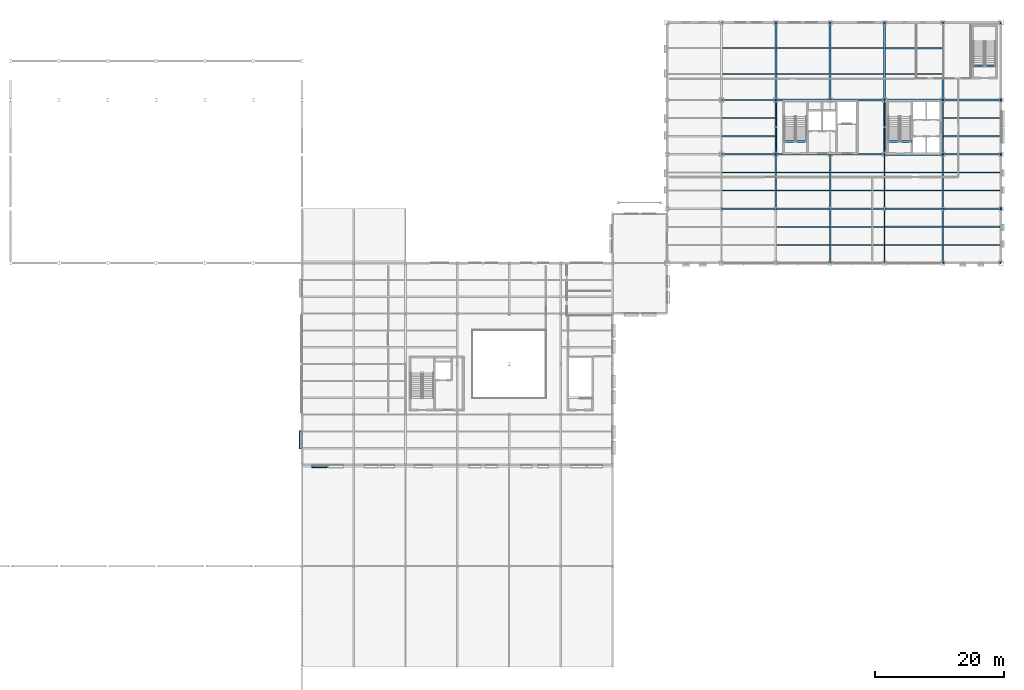
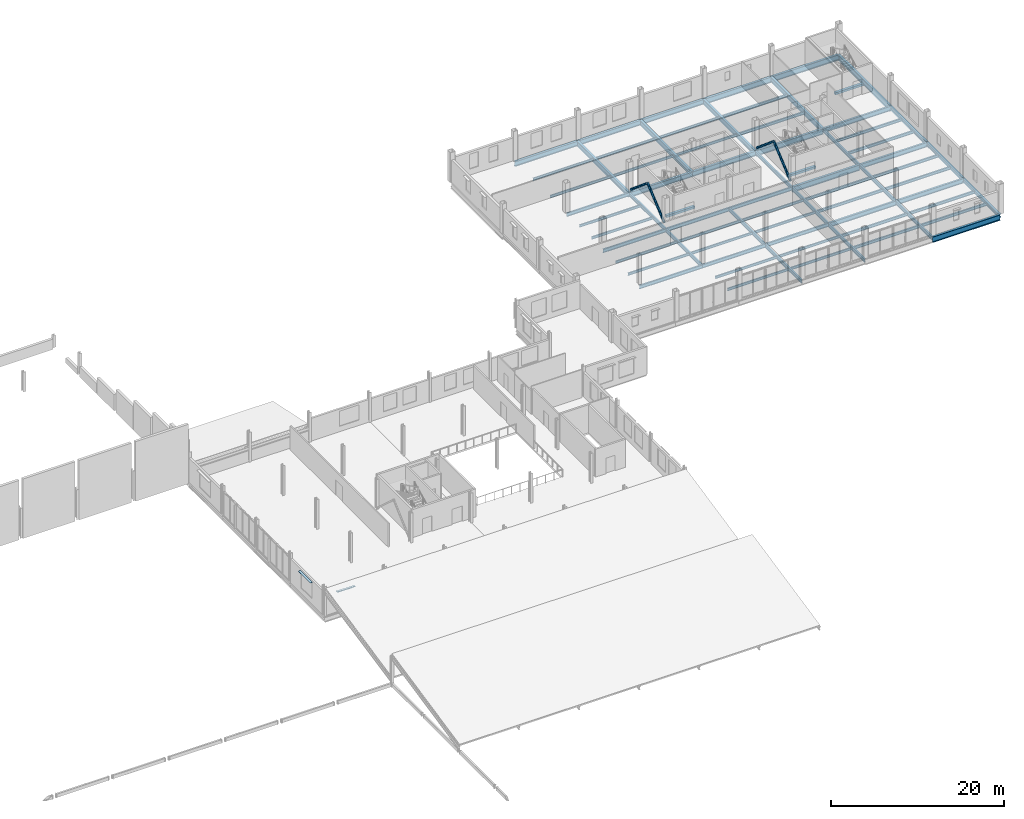
# One storey, part 19 of 45: 72 beams, 4 members, 2 plates.
"""IFC4 building model written with IfcOpenShell, lengths in metres."""

from ifc_helpers import new_model, si_unit, direction, frame, origin, origin_2d, place, context, subcontext, project, spatial, rectangle, hollow_circle, i_section, extrude, material, layer, layer_set, material_profile, profile_set, type_object, element, save


model = new_model("IFC4")

# Units and contexts
model_context = context("Model", 3, precision=1e-05, world=origin(), true_north=direction((0.0, 1.0)))
body_context = subcontext(model_context, "Body", "Model", "MODEL_VIEW")
ifc_project = project(units=[si_unit("LENGTHUNIT", "METRE"), si_unit("AREAUNIT", "SQUARE_METRE"), si_unit("VOLUMEUNIT", "CUBIC_METRE"), si_unit("PLANEANGLEUNIT", "RADIAN"), si_unit("MASSUNIT", "GRAM", prefix="KILO")], contexts=[model_context])

# Site, building, storey
site_placement = place(None, origin())
site = spatial("IfcSite", under=ifc_project, at=site_placement, CompositionType="ELEMENT")
building_placement = place(site_placement, origin())
building = spatial("IfcBuilding", under=site, at=building_placement, Name="Yukiwa Park Conservatory and Herbarium", CompositionType="ELEMENT")
storey_placement = place(building_placement, frame((0.0, 0.0, 9.0)))
storey = spatial("IfcBuildingStorey", under=building, at=storey_placement, Name="L02", CompositionType="ELEMENT", Elevation=9.0)

# Beams
ifc_material_1 = material(Name="Steel Q355D", Category="steel")
ifc_material_profile_1 = material_profile(ifc_material_1, i_section(OverallWidth=0.198974609375, OverallDepth=0.49609375, WebThickness=0.009033203125, FlangeThickness=0.013916015625, FilletRadius=0.02001953125, at=origin_2d()), Name="HN 496x199x9x14")
ifc_profile_set_1 = profile_set([ifc_material_profile_1], Name="Steel Q355D")
beam_type_1 = type_object("IfcBeamType", Name="BM-GRD-HN496", PredefinedType="BEAM", material=ifc_profile_set_1)
beam_1_placement = place(storey_placement, frame((124.805908203125, 86.39990234375, -0.492919921875), z_axis=(1.0, 0.0, 0.0), x_axis=(0.0, 1.0, 0.0)))
element("IfcBeam", 1, at=beam_1_placement, inside=storey, type_object=beam_type_1, Name="L02 grid beam X-35", PredefinedType="BEAM", context=body_context, shape_type="SweptSolid", body=[
    extrude(i_section(OverallWidth=0.198974609375, OverallDepth=0.49609375, WebThickness=0.009033203125, FlangeThickness=0.013916015625, FilletRadius=0.02001953125, at=origin_2d()), origin(), (0.0, 0.0, 1.0), 8.38818359375),
])
for number, where, z_axis, x_axis, name in (
    (2, (133.2060546875, 86.39990234375, -0.492919921875), (1.0, 0.0, 0.0), (0.0, 1.0, 0.0), "L02 grid beam X-36"),
    (3, (141.60595703125, 86.39990234375, -0.492919921875), (1.0, 0.0, 0.0), (0.0, 1.0, 0.0), "L02 grid beam X-37"),
):
    element("IfcBeam", number, at=place(storey_placement, frame(where, z_axis=z_axis, x_axis=x_axis)), inside=storey, type_object=beam_type_1, Name=name, PredefinedType="BEAM", context=body_context, shape_type="SweptSolid", body=[
        extrude(i_section(OverallWidth=0.198974609375, OverallDepth=0.49609375, WebThickness=0.009033203125, FlangeThickness=0.013916015625, FilletRadius=0.02001953125, at=origin_2d()), origin(), (0.0, 0.0, 1.0), 8.387939453125),
    ])
beam_2_placement = place(storey_placement, frame((124.805908203125, 94.800048828125, -0.492919921875), z_axis=(1.0, 0.0, 0.0), x_axis=(0.0, 1.0, 0.0)))
element("IfcBeam", 4, at=beam_2_placement, inside=storey, type_object=beam_type_1, Name="L02 grid beam X-41", PredefinedType="BEAM", context=body_context, shape_type="SweptSolid", body=[
    extrude(i_section(OverallWidth=0.198974609375, OverallDepth=0.49609375, WebThickness=0.009033203125, FlangeThickness=0.013916015625, FilletRadius=0.02001953125, at=origin_2d()), origin(), (0.0, 0.0, 1.0), 8.38818359375),
])
for number, where, z_axis, x_axis, name in (
    (5, (133.2060546875, 94.800048828125, -0.492919921875), (1.0, 0.0, 0.0), (0.0, 1.0, 0.0), "L02 grid beam X-42"),
    (6, (141.60595703125, 94.800048828125, -0.492919921875), (1.0, 0.0, 0.0), (0.0, 1.0, 0.0), "L02 grid beam X-43"),
):
    element("IfcBeam", number, at=place(storey_placement, frame(where, z_axis=z_axis, x_axis=x_axis)), inside=storey, type_object=beam_type_1, Name=name, PredefinedType="BEAM", context=body_context, shape_type="SweptSolid", body=[
        extrude(i_section(OverallWidth=0.198974609375, OverallDepth=0.49609375, WebThickness=0.009033203125, FlangeThickness=0.013916015625, FilletRadius=0.02001953125, at=origin_2d()), origin(), (0.0, 0.0, 1.0), 8.387939453125),
    ])
beam_3_placement = place(storey_placement, frame((124.805908203125, 103.199951171875, -0.492919921875), z_axis=(1.0, 0.0, 0.0), x_axis=(0.0, 1.0, 0.0)))
element("IfcBeam", 7, at=beam_3_placement, inside=storey, type_object=beam_type_1, Name="L02 grid beam X-47", PredefinedType="BEAM", context=body_context, shape_type="SweptSolid", body=[
    extrude(i_section(OverallWidth=0.198974609375, OverallDepth=0.49609375, WebThickness=0.009033203125, FlangeThickness=0.013916015625, FilletRadius=0.02001953125, at=origin_2d()), origin(), (0.0, 0.0, 1.0), 8.38818359375),
])
ifc_material_2 = material(Name="Steel Q355D", Category="steel")
ifc_material_profile_2 = material_profile(ifc_material_2, i_section(OverallWidth=0.199951171875, OverallDepth=0.5, WebThickness=0.010009765625, FlangeThickness=0.01611328125, FilletRadius=0.02001953125, at=origin_2d()), Name="HN 500x200x10x16")
ifc_profile_set_2 = profile_set([ifc_material_profile_2], Name="Steel Q355D")
beam_type_2 = type_object("IfcBeamType", Name="BM-GRD-HN500", PredefinedType="BEAM", material=ifc_profile_set_2)
beam_4_placement = place(storey_placement, frame((133.199951171875, 86.406005859375, -0.4951171875), z_axis=(0.0, 1.0, 0.0), x_axis=(-1.0, 0.0, 0.0)))
element("IfcBeam", 8, at=beam_4_placement, inside=storey, type_object=beam_type_2, Name="L02 grid girder Y-94", PredefinedType="BEAM", context=body_context, shape_type="SweptSolid", body=[
    extrude(i_section(OverallWidth=0.199951171875, OverallDepth=0.5, WebThickness=0.010009765625, FlangeThickness=0.01611328125, FilletRadius=0.02001953125, at=origin_2d()), origin(), (0.0, 0.0, 1.0), 8.387939453125),
])
beam_5_placement = place(storey_placement, frame((133.199951171875, 94.805908203125, -0.4951171875), z_axis=(0.0, 1.0, 0.0), x_axis=(-1.0, 0.0, 0.0)))
element("IfcBeam", 9, at=beam_5_placement, inside=storey, type_object=beam_type_2, Name="L02 grid girder Y-95", PredefinedType="BEAM", context=body_context, shape_type="SweptSolid", body=[
    extrude(i_section(OverallWidth=0.199951171875, OverallDepth=0.5, WebThickness=0.010009765625, FlangeThickness=0.01611328125, FilletRadius=0.02001953125, at=origin_2d()), origin(), (0.0, 0.0, 1.0), 8.38818359375),
])
for number, where, z_axis, x_axis, name in (
    (10, (141.60009765625, 78.006103515625, -0.4951171875), (0.0, 1.0, 0.0), (-1.0, 0.0, 0.0), "L02 grid girder Y-97"),
    (11, (141.60009765625, 86.406005859375, -0.4951171875), (0.0, 1.0, 0.0), (-1.0, 0.0, 0.0), "L02 grid girder Y-98"),
    (12, (150.0, 78.006103515625, -0.4951171875), (0.0, 1.0, 0.0), (-1.0, 0.0, 0.0), "L02 grid girder Y-100"),
    (13, (150.0, 86.406005859375, -0.4951171875), (0.0, 1.0, 0.0), (-1.0, 0.0, 0.0), "L02 grid girder Y-101"),
):
    element("IfcBeam", number, at=place(storey_placement, frame(where, z_axis=z_axis, x_axis=x_axis)), inside=storey, type_object=beam_type_2, Name=name, PredefinedType="BEAM", context=body_context, shape_type="SweptSolid", body=[
        extrude(i_section(OverallWidth=0.199951171875, OverallDepth=0.5, WebThickness=0.010009765625, FlangeThickness=0.01611328125, FilletRadius=0.02001953125, at=origin_2d()), origin(), (0.0, 0.0, 1.0), 8.387939453125),
    ])
beam_6_placement = place(storey_placement, frame((150.0, 94.805908203125, -0.4951171875), z_axis=(0.0, 1.0, 0.0), x_axis=(-1.0, 0.0, 0.0)))
element("IfcBeam", 14, at=beam_6_placement, inside=storey, type_object=beam_type_2, Name="L02 grid girder Y-102", PredefinedType="BEAM", context=body_context, shape_type="SweptSolid", body=[
    extrude(i_section(OverallWidth=0.199951171875, OverallDepth=0.5, WebThickness=0.010009765625, FlangeThickness=0.01611328125, FilletRadius=0.02001953125, at=origin_2d()), origin(), (0.0, 0.0, 1.0), 8.38818359375),
])
for number, where, z_axis, x_axis, name in (
    (15, (159.0, 78.006103515625, -0.4951171875), (0.0, 1.0, 0.0), (-1.0, 0.0, 0.0), "L02 grid girder Y-104"),
    (16, (159.0, 86.406005859375, -0.4951171875), (0.0, 1.0, 0.0), (-1.0, 0.0, 0.0), "L02 grid girder Y-105"),
):
    element("IfcBeam", number, at=place(storey_placement, frame(where, z_axis=z_axis, x_axis=x_axis)), inside=storey, type_object=beam_type_2, Name=name, PredefinedType="BEAM", context=body_context, shape_type="SweptSolid", body=[
        extrude(i_section(OverallWidth=0.199951171875, OverallDepth=0.5, WebThickness=0.010009765625, FlangeThickness=0.01611328125, FilletRadius=0.02001953125, at=origin_2d()), origin(), (0.0, 0.0, 1.0), 8.387939453125),
    ])
beam_7_placement = place(storey_placement, frame((159.0, 94.805908203125, -0.4951171875), z_axis=(0.0, 1.0, 0.0), x_axis=(-1.0, 0.0, 0.0)))
element("IfcBeam", 17, at=beam_7_placement, inside=storey, type_object=beam_type_2, Name="L02 grid girder Y-106", PredefinedType="BEAM", context=body_context, shape_type="SweptSolid", body=[
    extrude(i_section(OverallWidth=0.199951171875, OverallDepth=0.5, WebThickness=0.010009765625, FlangeThickness=0.01611328125, FilletRadius=0.02001953125, at=origin_2d()), origin(), (0.0, 0.0, 1.0), 8.38818359375),
])
ifc_material_3 = material(Name="Steel Q355D", Category="steel")
ifc_material_profile_3 = material_profile(ifc_material_3, i_section(OverallWidth=0.25, OverallDepth=0.64990234375, WebThickness=0.011962890625, FlangeThickness=0.02001953125, FilletRadius=0.02392578125, at=origin_2d()), Name="HN 650x250x12x20")
ifc_profile_set_3 = profile_set([ifc_material_profile_3], Name="Steel Q355D")
beam_type_3 = type_object("IfcBeamType", Name="BM-GRD-HN650", PredefinedType="BEAM", material=ifc_profile_set_3)
for number, where, z_axis, x_axis, name in (
    (18, (150.006103515625, 86.39990234375, -0.570068359375), (1.0, 0.0, 0.0), (0.0, 1.0, 0.0), "L02 grid beam X-38"),
    (19, (159.006103515625, 86.39990234375, -0.570068359375), (1.0, 0.0, 0.0), (0.0, 1.0, 0.0), "L02 grid beam X-39"),
    (20, (159.006103515625, 94.800048828125, -0.570068359375), (1.0, 0.0, 0.0), (0.0, 1.0, 0.0), "L02 grid beam X-45"),
    (21, (159.006103515625, 103.199951171875, -0.570068359375), (1.0, 0.0, 0.0), (0.0, 1.0, 0.0), "L02 grid beam X-51"),
):
    element("IfcBeam", number, at=place(storey_placement, frame(where, z_axis=z_axis, x_axis=x_axis)), inside=storey, type_object=beam_type_3, Name=name, PredefinedType="BEAM", context=body_context, shape_type="SweptSolid", body=[
        extrude(i_section(OverallWidth=0.25, OverallDepth=0.64990234375, WebThickness=0.011962890625, FlangeThickness=0.02001953125, FilletRadius=0.02392578125, at=origin_2d()), origin(), (0.0, 0.0, 1.0), 8.98779296875),
    ])
ifc_material_4 = material(Name="Steel Q355D", Category="steel")
ifc_material_profile_4 = material_profile(ifc_material_4, i_section(OverallWidth=0.300048828125, OverallDepth=0.699951171875, WebThickness=0.012939453125, FlangeThickness=0.02392578125, FilletRadius=0.028076171875, at=origin_2d()), Name="HN 700x300x13x24")
ifc_profile_set_4 = profile_set([ifc_material_profile_4], Name="Steel Q355D")
beam_type_4 = type_object("IfcBeamType", Name="BM-GRD-HN700", PredefinedType="BEAM", material=ifc_profile_set_4)
for number, where, z_axis, x_axis, name in (
    (22, (133.199951171875, 103.2060546875, -0.594970703125), (0.0, 1.0, 0.0), (-1.0, 0.0, 0.0), "L02 grid girder Y-96"),
    (23, (141.60009765625, 103.2060546875, -0.594970703125), (0.0, 1.0, 0.0), (-1.0, 0.0, 0.0), "L02 grid girder Y-99"),
    (24, (150.0, 103.2060546875, -0.594970703125), (0.0, 1.0, 0.0), (-1.0, 0.0, 0.0), "L02 grid girder Y-103"),
    (25, (159.0, 103.2060546875, -0.594970703125), (0.0, 1.0, 0.0), (-1.0, 0.0, 0.0), "L02 grid girder Y-107"),
):
    element("IfcBeam", number, at=place(storey_placement, frame(where, z_axis=z_axis, x_axis=x_axis)), inside=storey, type_object=beam_type_4, Name=name, PredefinedType="BEAM", context=body_context, shape_type="SweptSolid", body=[
        extrude(i_section(OverallWidth=0.300048828125, OverallDepth=0.699951171875, WebThickness=0.012939453125, FlangeThickness=0.02392578125, FilletRadius=0.028076171875, at=origin_2d()), origin(), (0.0, 0.0, 1.0), 11.988037109375),
    ])
ifc_material_5 = material(Name="Steel Q355D", Category="steel")
ifc_material_profile_5 = material_profile(ifc_material_5, i_section(OverallWidth=0.174072265625, OverallDepth=0.345947265625, WebThickness=0.006103515625, FlangeThickness=0.009033203125, FilletRadius=0.013916015625, at=origin_2d()), Name="HN 346x174x6x9")
ifc_profile_set_5 = profile_set([ifc_material_profile_5], Name="Steel Q355D")
beam_type_5 = type_object("IfcBeamType", Name="BM-JST-HN346", PredefinedType="JOIST", material=ifc_profile_set_5)
for number, where, z_axis, x_axis, name in (
    (26, (124.89599609375, 89.199951171875, -0.41796875), (1.0, 0.0, 0.0), (0.0, 1.0, 0.0), "L02 composite floor joist 47"),
    (27, (124.89599609375, 92.0, -0.41796875), (1.0, 0.0, 0.0), (0.0, 1.0, 0.0), "L02 composite floor joist 48"),
    (28, (124.89599609375, 97.60009765625, -0.41796875), (1.0, 0.0, 0.0), (0.0, 1.0, 0.0), "L02 composite floor joist 49"),
    (29, (124.89599609375, 100.39990234375, -0.41796875), (1.0, 0.0, 0.0), (0.0, 1.0, 0.0), "L02 composite floor joist 50"),
):
    element("IfcBeam", number, at=place(storey_placement, frame(where, z_axis=z_axis, x_axis=x_axis)), inside=storey, type_object=beam_type_5, Name=name, PredefinedType="JOIST", context=body_context, shape_type="SweptSolid", body=[
        extrude(i_section(OverallWidth=0.174072265625, OverallDepth=0.345947265625, WebThickness=0.006103515625, FlangeThickness=0.009033203125, FilletRadius=0.013916015625, at=origin_2d()), origin(), (0.0, 0.0, 1.0), 8.2080078125),
    ])
for number, where, z_axis, x_axis, name in (
    (30, (124.946044921875, 107.199951171875, -0.41796875), (1.0, 0.0, 0.0), (0.0, 1.0, 0.0), "L02 composite floor joist 51"),
    (31, (124.946044921875, 111.199951171875, -0.41796875), (1.0, 0.0, 0.0), (0.0, 1.0, 0.0), "L02 composite floor joist 52"),
):
    element("IfcBeam", number, at=place(storey_placement, frame(where, z_axis=z_axis, x_axis=x_axis)), inside=storey, type_object=beam_type_5, Name=name, PredefinedType="JOIST", context=body_context, shape_type="SweptSolid", body=[
        extrude(i_section(OverallWidth=0.174072265625, OverallDepth=0.345947265625, WebThickness=0.006103515625, FlangeThickness=0.009033203125, FilletRadius=0.013916015625, at=origin_2d()), origin(), (0.0, 0.0, 1.0), 8.10791015625),
    ])
for number, where, z_axis, x_axis, name in (
    (32, (133.2958984375, 80.800048828125, -0.41796875), (1.0, 0.0, 0.0), (0.0, 1.0, 0.0), "L02 composite floor joist 53"),
    (33, (133.2958984375, 83.60009765625, -0.41796875), (1.0, 0.0, 0.0), (0.0, 1.0, 0.0), "L02 composite floor joist 54"),
    (34, (133.2958984375, 89.199951171875, -0.41796875), (1.0, 0.0, 0.0), (0.0, 1.0, 0.0), "L02 composite floor joist 55"),
    (35, (133.2958984375, 92.0, -0.41796875), (1.0, 0.0, 0.0), (0.0, 1.0, 0.0), "L02 composite floor joist 56"),
):
    element("IfcBeam", number, at=place(storey_placement, frame(where, z_axis=z_axis, x_axis=x_axis)), inside=storey, type_object=beam_type_5, Name=name, PredefinedType="JOIST", context=body_context, shape_type="SweptSolid", body=[
        extrude(i_section(OverallWidth=0.174072265625, OverallDepth=0.345947265625, WebThickness=0.006103515625, FlangeThickness=0.009033203125, FilletRadius=0.013916015625, at=origin_2d()), origin(), (0.0, 0.0, 1.0), 8.2080078125),
    ])
for number, where, z_axis, x_axis, name in (
    (36, (133.345947265625, 107.199951171875, -0.41796875), (1.0, 0.0, 0.0), (0.0, 1.0, 0.0), "L02 composite floor joist 57"),
    (37, (133.345947265625, 111.199951171875, -0.41796875), (1.0, 0.0, 0.0), (0.0, 1.0, 0.0), "L02 composite floor joist 58"),
):
    element("IfcBeam", number, at=place(storey_placement, frame(where, z_axis=z_axis, x_axis=x_axis)), inside=storey, type_object=beam_type_5, Name=name, PredefinedType="JOIST", context=body_context, shape_type="SweptSolid", body=[
        extrude(i_section(OverallWidth=0.174072265625, OverallDepth=0.345947265625, WebThickness=0.006103515625, FlangeThickness=0.009033203125, FilletRadius=0.013916015625, at=origin_2d()), origin(), (0.0, 0.0, 1.0), 8.108154296875),
    ])
for number, where, z_axis, x_axis, name in (
    (38, (141.696044921875, 80.800048828125, -0.41796875), (1.0, 0.0, 0.0), (0.0, 1.0, 0.0), "L02 composite floor joist 59"),
    (39, (141.696044921875, 83.60009765625, -0.41796875), (1.0, 0.0, 0.0), (0.0, 1.0, 0.0), "L02 composite floor joist 60"),
    (40, (141.696044921875, 89.199951171875, -0.41796875), (1.0, 0.0, 0.0), (0.0, 1.0, 0.0), "L02 composite floor joist 61"),
    (41, (141.696044921875, 92.0, -0.41796875), (1.0, 0.0, 0.0), (0.0, 1.0, 0.0), "L02 composite floor joist 62"),
):
    element("IfcBeam", number, at=place(storey_placement, frame(where, z_axis=z_axis, x_axis=x_axis)), inside=storey, type_object=beam_type_5, Name=name, PredefinedType="JOIST", context=body_context, shape_type="SweptSolid", body=[
        extrude(i_section(OverallWidth=0.174072265625, OverallDepth=0.345947265625, WebThickness=0.006103515625, FlangeThickness=0.009033203125, FilletRadius=0.013916015625, at=origin_2d()), origin(), (0.0, 0.0, 1.0), 8.2080078125),
    ])
for number, where, z_axis, x_axis, name in (
    (42, (141.74609375, 107.199951171875, -0.41796875), (1.0, 0.0, 0.0), (0.0, 1.0, 0.0), "L02 composite floor joist 63"),
    (43, (141.74609375, 111.199951171875, -0.41796875), (1.0, 0.0, 0.0), (0.0, 1.0, 0.0), "L02 composite floor joist 64"),
):
    element("IfcBeam", number, at=place(storey_placement, frame(where, z_axis=z_axis, x_axis=x_axis)), inside=storey, type_object=beam_type_5, Name=name, PredefinedType="JOIST", context=body_context, shape_type="SweptSolid", body=[
        extrude(i_section(OverallWidth=0.174072265625, OverallDepth=0.345947265625, WebThickness=0.006103515625, FlangeThickness=0.009033203125, FilletRadius=0.013916015625, at=origin_2d()), origin(), (0.0, 0.0, 1.0), 8.10791015625),
    ])
ifc_material_6 = material(Name="Steel Q355D", Category="steel")
ifc_material_profile_6 = material_profile(ifc_material_6, i_section(OverallWidth=0.198974609375, OverallDepth=0.39599609375, WebThickness=0.007080078125, FlangeThickness=0.010986328125, FilletRadius=0.01611328125, at=origin_2d()), Name="HN 396x199x7x11")
ifc_profile_set_6 = profile_set([ifc_material_profile_6], Name="Steel Q355D")
beam_type_6 = type_object("IfcBeamType", Name="BM-JST-HN396", PredefinedType="JOIST", material=ifc_profile_set_6)
for number, where, z_axis, x_axis, name in (
    (44, (150.095947265625, 80.800048828125, -0.443115234375), (1.0, 0.0, 0.0), (0.0, 1.0, 0.0), "L02 composite floor joist 65"),
    (45, (150.095947265625, 83.60009765625, -0.443115234375), (1.0, 0.0, 0.0), (0.0, 1.0, 0.0), "L02 composite floor joist 66"),
    (46, (150.095947265625, 89.199951171875, -0.443115234375), (1.0, 0.0, 0.0), (0.0, 1.0, 0.0), "L02 composite floor joist 67"),
    (47, (150.095947265625, 92.0, -0.443115234375), (1.0, 0.0, 0.0), (0.0, 1.0, 0.0), "L02 composite floor joist 68"),
):
    element("IfcBeam", number, at=place(storey_placement, frame(where, z_axis=z_axis, x_axis=x_axis)), inside=storey, type_object=beam_type_6, Name=name, PredefinedType="JOIST", context=body_context, shape_type="SweptSolid", body=[
        extrude(i_section(OverallWidth=0.198974609375, OverallDepth=0.39599609375, WebThickness=0.007080078125, FlangeThickness=0.010986328125, FilletRadius=0.01611328125, at=origin_2d()), origin(), (0.0, 0.0, 1.0), 8.80810546875),
    ])
for number, where, z_axis, x_axis, name in (
    (48, (150.14599609375, 107.199951171875, -0.443115234375), (1.0, 0.0, 0.0), (0.0, 1.0, 0.0), "L02 composite floor joist 69"),
    (49, (150.14599609375, 111.199951171875, -0.443115234375), (1.0, 0.0, 0.0), (0.0, 1.0, 0.0), "L02 composite floor joist 70"),
):
    element("IfcBeam", number, at=place(storey_placement, frame(where, z_axis=z_axis, x_axis=x_axis)), inside=storey, type_object=beam_type_6, Name=name, PredefinedType="JOIST", context=body_context, shape_type="SweptSolid", body=[
        extrude(i_section(OverallWidth=0.198974609375, OverallDepth=0.39599609375, WebThickness=0.007080078125, FlangeThickness=0.010986328125, FilletRadius=0.01611328125, at=origin_2d()), origin(), (0.0, 0.0, 1.0), 8.7080078125),
    ])
for number, where, z_axis, x_axis, name in (
    (50, (159.095947265625, 80.800048828125, -0.443115234375), (1.0, 0.0, 0.0), (0.0, 1.0, 0.0), "L02 composite floor joist 71"),
    (51, (159.095947265625, 83.60009765625, -0.443115234375), (1.0, 0.0, 0.0), (0.0, 1.0, 0.0), "L02 composite floor joist 72"),
    (52, (159.095947265625, 89.199951171875, -0.443115234375), (1.0, 0.0, 0.0), (0.0, 1.0, 0.0), "L02 composite floor joist 73"),
    (53, (159.095947265625, 92.0, -0.443115234375), (1.0, 0.0, 0.0), (0.0, 1.0, 0.0), "L02 composite floor joist 74"),
    (54, (159.095947265625, 97.60009765625, -0.443115234375), (1.0, 0.0, 0.0), (0.0, 1.0, 0.0), "L02 composite floor joist 75"),
    (55, (159.095947265625, 100.39990234375, -0.443115234375), (1.0, 0.0, 0.0), (0.0, 1.0, 0.0), "L02 composite floor joist 76"),
):
    element("IfcBeam", number, at=place(storey_placement, frame(where, z_axis=z_axis, x_axis=x_axis)), inside=storey, type_object=beam_type_6, Name=name, PredefinedType="JOIST", context=body_context, shape_type="SweptSolid", body=[
        extrude(i_section(OverallWidth=0.198974609375, OverallDepth=0.39599609375, WebThickness=0.007080078125, FlangeThickness=0.010986328125, FilletRadius=0.01611328125, at=origin_2d()), origin(), (0.0, 0.0, 1.0), 8.758056640625),
    ])
ifc_material_7 = material(Name="Steel Q355D", Category="steel")
ifc_material_profile_7 = material_profile(ifc_material_7, i_section(OverallWidth=0.300048828125, OverallDepth=0.5, WebThickness=0.010986328125, FlangeThickness=0.01806640625, FilletRadius=0.02392578125, at=origin_2d()), Name="HM 500x300x11x18")
ifc_profile_set_7 = profile_set([ifc_material_profile_7], Name="Steel Q355D")
beam_type_7 = type_object("IfcBeamType", Name="BM-SPN-HN500", PredefinedType="SPANDREL", material=ifc_profile_set_7)
for number, where, z_axis, x_axis, name in (
    (56, (168.0, 78.006103515625, -0.4951171875), (0.0, 1.0, 0.0), (-1.0, 0.0, 0.0), "L02 spandrel girder Y-108"),
    (57, (168.0, 86.406005859375, -0.4951171875), (0.0, 1.0, 0.0), (-1.0, 0.0, 0.0), "L02 spandrel girder Y-109"),
):
    element("IfcBeam", number, at=place(storey_placement, frame(where, z_axis=z_axis, x_axis=x_axis)), inside=storey, type_object=beam_type_7, Name=name, PredefinedType="SPANDREL", context=body_context, shape_type="SweptSolid", body=[
        extrude(i_section(OverallWidth=0.300048828125, OverallDepth=0.5, WebThickness=0.010986328125, FlangeThickness=0.01806640625, FilletRadius=0.02392578125, at=origin_2d()), origin(), (0.0, 0.0, 1.0), 8.387939453125),
    ])
beam_8_placement = place(storey_placement, frame((168.0, 94.805908203125, -0.4951171875), z_axis=(0.0, 1.0, 0.0), x_axis=(-1.0, 0.0, 0.0)))
element("IfcBeam", 58, at=beam_8_placement, inside=storey, type_object=beam_type_7, Name="L02 spandrel girder Y-110", PredefinedType="SPANDREL", context=body_context, shape_type="SweptSolid", body=[
    extrude(i_section(OverallWidth=0.300048828125, OverallDepth=0.5, WebThickness=0.010986328125, FlangeThickness=0.01806640625, FilletRadius=0.02392578125, at=origin_2d()), origin(), (0.0, 0.0, 1.0), 8.38818359375),
])
ifc_material_8 = material(Name="Steel Q355D", Category="steel")
ifc_material_profile_8 = material_profile(ifc_material_8, i_section(OverallWidth=0.300048828125, OverallDepth=0.69189453125, WebThickness=0.012939453125, FlangeThickness=0.02001953125, FilletRadius=0.028076171875, at=origin_2d()), Name="HN 692x300x13x20")
ifc_profile_set_8 = profile_set([ifc_material_profile_8], Name="Steel Q355D")
beam_type_8 = type_object("IfcBeamType", Name="BM-SPN-HN550", PredefinedType="SPANDREL", material=ifc_profile_set_8)
for number, where, z_axis, x_axis, name in (
    (59, (133.2060546875, 103.199951171875, -0.591064453125), (1.0, 0.0, 0.0), (0.0, 1.0, 0.0), "L02 spandrel beam X-48"),
    (60, (141.60595703125, 103.199951171875, -0.591064453125), (1.0, 0.0, 0.0), (0.0, 1.0, 0.0), "L02 spandrel beam X-49"),
):
    element("IfcBeam", number, at=place(storey_placement, frame(where, z_axis=z_axis, x_axis=x_axis)), inside=storey, type_object=beam_type_8, Name=name, PredefinedType="SPANDREL", context=body_context, shape_type="SweptSolid", body=[
        extrude(i_section(OverallWidth=0.300048828125, OverallDepth=0.69189453125, WebThickness=0.012939453125, FlangeThickness=0.02001953125, FilletRadius=0.028076171875, at=origin_2d()), origin(), (0.0, 0.0, 1.0), 8.387939453125),
    ])
beam_9_placement = place(storey_placement, frame((124.805908203125, 115.199951171875, -0.591064453125), z_axis=(1.0, 0.0, 0.0), x_axis=(0.0, 1.0, 0.0)))
element("IfcBeam", 61, at=beam_9_placement, inside=storey, type_object=beam_type_8, Name="L02 spandrel beam X-53", PredefinedType="SPANDREL", context=body_context, shape_type="SweptSolid", body=[
    extrude(i_section(OverallWidth=0.300048828125, OverallDepth=0.69189453125, WebThickness=0.012939453125, FlangeThickness=0.02001953125, FilletRadius=0.028076171875, at=origin_2d()), origin(), (0.0, 0.0, 1.0), 8.38818359375),
])
for number, where, z_axis, x_axis, name in (
    (62, (133.2060546875, 115.199951171875, -0.591064453125), (1.0, 0.0, 0.0), (0.0, 1.0, 0.0), "L02 spandrel beam X-54"),
    (63, (141.60595703125, 115.199951171875, -0.591064453125), (1.0, 0.0, 0.0), (0.0, 1.0, 0.0), "L02 spandrel beam X-55"),
):
    element("IfcBeam", number, at=place(storey_placement, frame(where, z_axis=z_axis, x_axis=x_axis)), inside=storey, type_object=beam_type_8, Name=name, PredefinedType="SPANDREL", context=body_context, shape_type="SweptSolid", body=[
        extrude(i_section(OverallWidth=0.300048828125, OverallDepth=0.69189453125, WebThickness=0.012939453125, FlangeThickness=0.02001953125, FilletRadius=0.028076171875, at=origin_2d()), origin(), (0.0, 0.0, 1.0), 8.387939453125),
    ])
ifc_material_9 = material(Name="Steel Q355D", Category="steel")
ifc_material_profile_9 = material_profile(ifc_material_9, i_section(OverallWidth=0.300048828125, OverallDepth=0.7919921875, WebThickness=0.013916015625, FlangeThickness=0.02197265625, FilletRadius=0.028076171875, at=origin_2d()), Name="HN 792x300x14x22")
ifc_profile_set_9 = profile_set([ifc_material_profile_9], Name="Steel Q355D")
beam_type_9 = type_object("IfcBeamType", Name="BM-SPN-HN600", PredefinedType="SPANDREL", material=ifc_profile_set_9)
for number, where, z_axis, x_axis, name in (
    (64, (159.006103515625, 78.0, -0.64111328125), (1.0, 0.0, 0.0), (0.0, 1.0, 0.0), "L02 spandrel beam X-33"),
    (65, (150.006103515625, 94.800048828125, -0.64111328125), (1.0, 0.0, 0.0), (0.0, 1.0, 0.0), "L02 spandrel beam X-44"),
    (66, (150.006103515625, 103.199951171875, -0.64111328125), (1.0, 0.0, 0.0), (0.0, 1.0, 0.0), "L02 spandrel beam X-50"),
    (67, (150.006103515625, 115.199951171875, -0.64111328125), (1.0, 0.0, 0.0), (0.0, 1.0, 0.0), "L02 spandrel beam X-56"),
    (68, (159.006103515625, 115.199951171875, -0.64111328125), (1.0, 0.0, 0.0), (0.0, 1.0, 0.0), "L02 spandrel beam X-57"),
):
    element("IfcBeam", number, at=place(storey_placement, frame(where, z_axis=z_axis, x_axis=x_axis)), inside=storey, type_object=beam_type_9, Name=name, PredefinedType="SPANDREL", context=body_context, shape_type="SweptSolid", body=[
        extrude(i_section(OverallWidth=0.300048828125, OverallDepth=0.7919921875, WebThickness=0.013916015625, FlangeThickness=0.02197265625, FilletRadius=0.028076171875, at=origin_2d()), origin(), (0.0, 0.0, 1.0), 8.98779296875),
    ])
beam_10_placement = place(storey_placement, frame((168.0, 103.2060546875, -0.64111328125), z_axis=(0.0, 1.0, 0.0), x_axis=(-1.0, 0.0, 0.0)))
element("IfcBeam", 69, at=beam_10_placement, inside=storey, type_object=beam_type_9, Name="L02 spandrel girder Y-111", PredefinedType="SPANDREL", context=body_context, shape_type="SweptSolid", body=[
    extrude(i_section(OverallWidth=0.300048828125, OverallDepth=0.7919921875, WebThickness=0.013916015625, FlangeThickness=0.02197265625, FilletRadius=0.028076171875, at=origin_2d()), origin(), (0.0, 0.0, 1.0), 11.988037109375),
])
ifc_material_10 = material(Name="Concrete C40", Category="concrete")
ifc_material_profile_10 = material_profile(ifc_material_10, rectangle(XDim=0.35009765625, YDim=0.300048828125, at=origin_2d()), Name="RC 350x300")
ifc_profile_set_10 = profile_set([ifc_material_profile_10], Name="Concrete C40")
beam_type_10 = type_object("IfcBeamType", Name="BM-STAIR-TRIM", PredefinedType="BEAM", material=ifc_profile_set_10)
for number, where, z_axis, x_axis, name in (
    (70, (134.3701171875, 96.81005859375, -0.14990234375), (1.0, 0.0, 0.0), (0.0, 1.0, 0.0), "Stair ST-T1 L02 landing trimmer beam"),
    (71, (150.47998046875, 96.81005859375, -0.14990234375), (1.0, 0.0, 0.0), (0.0, 1.0, 0.0), "Stair ST-T2 L02 landing trimmer beam"),
    (72, (163.570068359375, 108.4599609375, -0.14990234375), (1.0, 0.0, 0.0), (0.0, 1.0, 0.0), "Stair ST-T3 L02 landing trimmer beam"),
):
    element("IfcBeam", number, at=place(storey_placement, frame(where, z_axis=z_axis, x_axis=x_axis)), inside=storey, type_object=beam_type_10, Name=name, PredefinedType="BEAM", context=body_context, shape_type="SweptSolid", body=[
        extrude(rectangle(XDim=0.35009765625, YDim=0.300048828125, at=origin_2d()), origin(), (0.0, 0.0, 1.0), 3.75),
    ])

# Members
ifc_material_11 = material(Name="Steel Q355D", Category="steel")
ifc_material_profile_11 = material_profile(ifc_material_11, hollow_circle(Radius=0.149169921875, WallThickness=0.011962890625, at=origin_2d()), Name="CHS 298.5x12")
ifc_profile_set_11 = profile_set([ifc_material_profile_11], Name="Steel Q355D")
member_type = type_object("IfcMemberType", Name="MB-BR-CHS298", PredefinedType="BRACE", material=ifc_profile_set_11)
for number, where, z_axis, x_axis, name in (
    (73, (133.199951171875, 95.12353515625, 0.31982421875), (0.0, 0.767261893669, 0.641333911877), (-1.0, 0.0, 0.0), "L02 concentric chevron brace 19"),
    (74, (133.199951171875, 102.87646484375, 0.31982421875), (0.0, -0.767261893669, 0.641333911877), (1.0, 0.0, 0.0), "L02 concentric chevron brace 20"),
    (75, (150.0, 95.12353515625, 0.31982421875), (0.0, 0.767261893669, 0.641333911877), (-1.0, 0.0, 0.0), "L02 concentric chevron brace 21"),
    (76, (150.0, 102.87646484375, 0.31982421875), (0.0, -0.767261893669, 0.641333911877), (1.0, 0.0, 0.0), "L02 concentric chevron brace 22"),
):
    element("IfcMember", number, at=place(storey_placement, frame(where, z_axis=z_axis, x_axis=x_axis)), inside=storey, type_object=member_type, Name=name, PredefinedType="BRACE", context=body_context, shape_type="SweptSolid", body=[
        extrude(hollow_circle(Radius=0.149169921875, WallThickness=0.011962890625, at=origin_2d()), origin(), (0.0, 0.0, 1.0), 5.05224609375),
    ])

# Plates
ifc_material_12 = material(Name="Anodised Aluminium", Category="aluminium")
ifc_layer = layer(ifc_material_12, 0.0400390625)
ifc_layer_set = layer_set([ifc_layer], Name="Anodised Aluminium")
plate_type = type_object("IfcPlateType", Name="PL-SHADE-ALU-40", PredefinedType="SHEET", material=ifc_layer_set)
plate_1_placement = place(storey_placement, frame((59.72998046875, 50.699951171875, 3.1298828125), z_axis=(0.0, 0.0, 1.0), x_axis=(0.0, -1.0, 0.0)))
element("IfcPlate", 77, at=plate_1_placement, inside=storey, type_object=plate_type, Name="L02 snow-shedding window hood 108", PredefinedType="SHEET", context=body_context, shape_type="SweptSolid", body=[
    extrude(rectangle(XDim=2.760009765625, YDim=0.300048828125, at=origin_2d()), origin(), (0.0, 0.0, 1.0), 0.0400390625),
])
plate_2_placement = place(storey_placement, frame((62.717041015625, 46.530029296875, 2.929931640625), z_axis=(0.0, 0.0, 1.0), x_axis=(1.0, 0.0, 0.0)))
element("IfcPlate", 78, at=plate_2_placement, inside=storey, type_object=plate_type, Name="L02 snow-shedding window hood 109", PredefinedType="SHEET", context=body_context, shape_type="SweptSolid", body=[
    extrude(rectangle(XDim=2.360107421875, YDim=0.300048828125, at=origin_2d()), origin(), (0.0, 0.0, 1.0), 0.0400390625),
])

save(model, "model.ifc")
